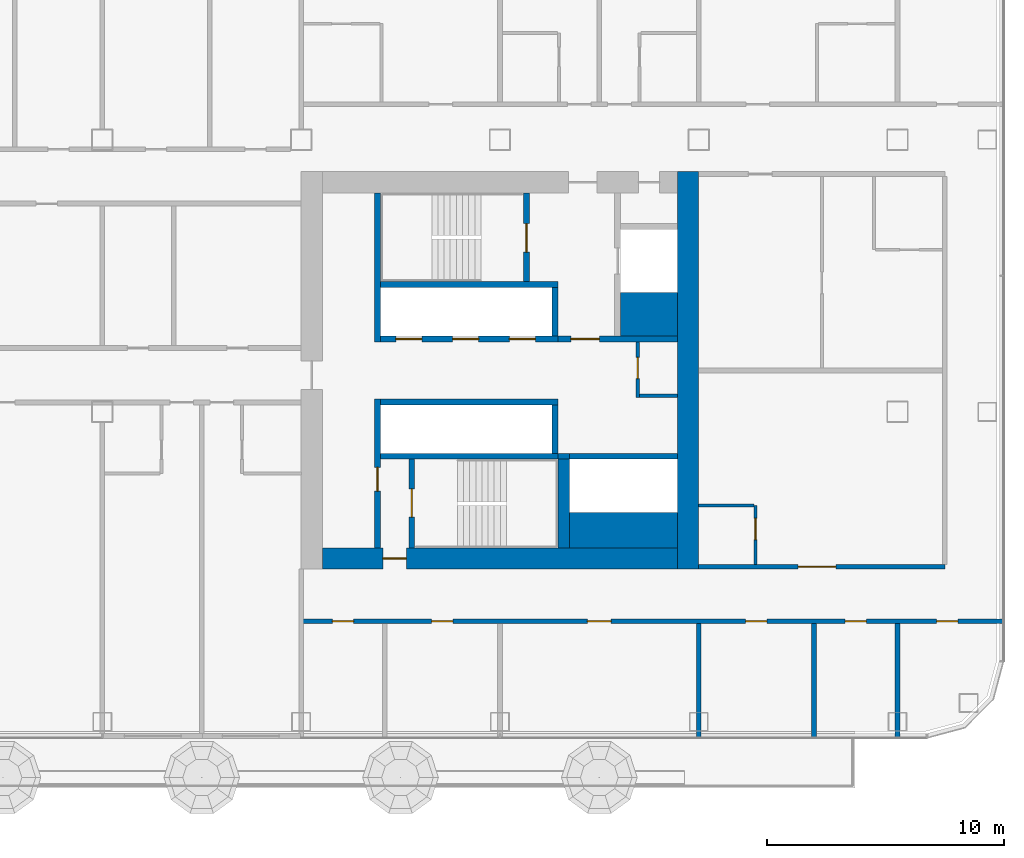
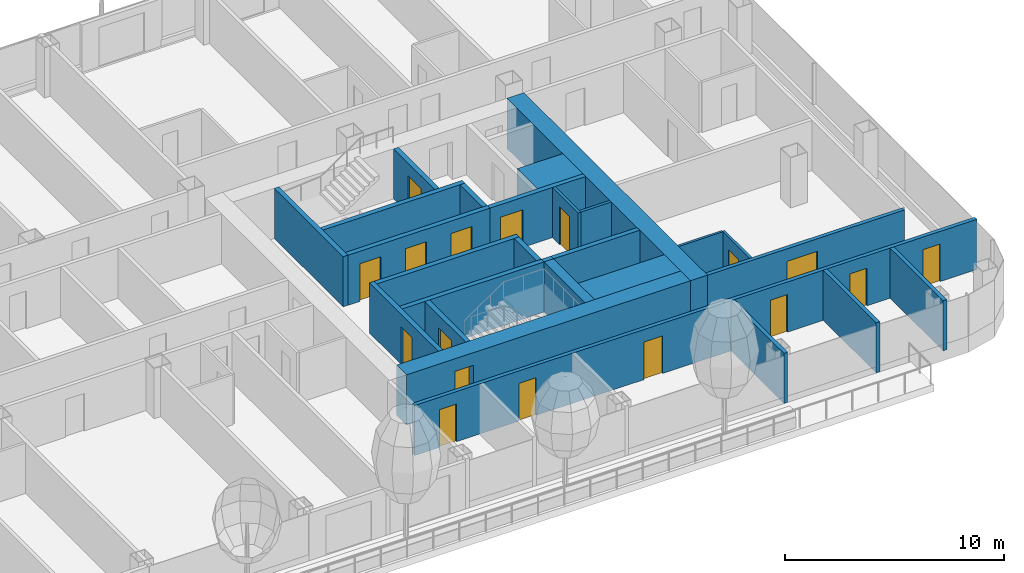
# One storey, part 16 of 33: 27 walls, 17 doors, 17 openings.
"""IFC4 building model written with IfcOpenShell, lengths in metres."""

from ifc_helpers import new_model, si_unit, direction, frame, frame_2d, origin, place, context, subcontext, project, spatial, rectangle, extrude, material, layer, layer_set, type_object, element, fill, save


model = new_model("IFC4")

# Units and contexts
model_context = context("Model", 3, precision=1e-05, world=origin(), true_north=direction((0.0, 1.0)))
body_context = subcontext(model_context, "Body", "Model", "MODEL_VIEW")
ifc_project = project(units=[si_unit("LENGTHUNIT", "METRE"), si_unit("AREAUNIT", "SQUARE_METRE"), si_unit("VOLUMEUNIT", "CUBIC_METRE"), si_unit("PLANEANGLEUNIT", "RADIAN"), si_unit("MASSUNIT", "GRAM", prefix="KILO")], contexts=[model_context])

# Site, building, storey
site_placement = place(None, origin())
site = spatial("IfcSite", under=ifc_project, at=site_placement, CompositionType="ELEMENT")
building_placement = place(site_placement, origin())
building = spatial("IfcBuilding", under=site, at=building_placement, Name="Hakoniwa Tower and Hamabe Station Hall", CompositionType="ELEMENT")
storey_placement = place(building_placement, frame((0.0, 0.0, 81.800048828125)))
storey = spatial("IfcBuildingStorey", under=building, at=storey_placement, Name="L22", CompositionType="ELEMENT", Elevation=81.800048828125)

# Wall, opening, door
ifc_material_1 = material(Name="Gypsum board partition")
ifc_layer_1 = layer(ifc_material_1, 0.14990234375)
ifc_layer_set_1 = layer_set([ifc_layer_1], Name="CORE PARTITION 150 EI 60")
wall_type_1 = type_object("IfcWallType", Name="CORE PARTITION 150 EI 60", PredefinedType="PARTITIONING", material=ifc_layer_set_1)
wall_1_placement = place(storey_placement, frame((31.02490234375, -1.14990234375, 0.0), z_axis=(0.0, 0.0, 1.0), x_axis=(0.0, 1.0, 0.0)))
wall_1 = element("IfcWall", 1, at=wall_1_placement, inside=storey, type_object=wall_type_1, Name="Core partition PW0 east", PredefinedType="PARTITIONING", context=body_context, shape_type="SweptSolid", body=[
    extrude(rectangle(XDim=2.349853515625, YDim=0.14990234375, at=frame_2d((1.1748046875, 0.0))), origin(), (0.0, 0.0, 1.0), 2.800048828125),
])
opening_1_placement = place(wall_1_placement, frame((0.800048828125, 0.0, 0.0)))
opening_1 = element("IfcOpeningElement", 2, at=opening_1_placement, cuts=wall_1, Name="Opening CD-E-RM1-9", PredefinedType="OPENING", context=body_context, shape_type="SweptSolid", body=[
    extrude(rectangle(XDim=0.89990234375, YDim=2.10009765625, at=frame_2d((0.449951171875, 1.050048828125))), frame((0.0, 0.0849609375, 0.0), z_axis=(0.0, -1.0, 0.0), x_axis=(1.0, 0.0, 0.0)), (0.0, 0.0, 1.0), 0.169921875),
])
ifc_material_2 = material(Name="Steel fire door", Category="steel")
door_type_1 = type_object("IfcDoorType", Name="CORE DOOR 900 FD30", OperationType="NOTDEFINED", PredefinedType="DOOR", material=ifc_material_2)
door_1_placement = place(opening_1_placement, origin())
door_1 = element("IfcDoor", 3, at=door_1_placement, inside=storey, type_object=door_type_1, Name="Store room door", OperationType="SINGLE_SWING_RIGHT", OverallHeight=2.10009765625, OverallWidth=0.89990234375, PredefinedType="DOOR", context=body_context, shape_type="SweptSolid", body=[
    extrude(rectangle(XDim=0.89990234375, YDim=2.10009765625, at=frame_2d((0.449951171875, 1.050048828125))), frame((0.0, 0.02490234375, 0.0), z_axis=(0.0, -1.0, 0.0), x_axis=(1.0, 0.0, 0.0)), (0.0, 0.0, 1.0), 0.050048828125),
])
fill(opening_1, door_1)

# Walls
wall_2_placement = place(storey_placement, frame((31.10009765625, -1.074951171875, 0.0), z_axis=(0.0, 0.0, 1.0), x_axis=(1.0, 0.0, 0.0)))
element("IfcWall", 4, at=wall_2_placement, inside=storey, type_object=wall_type_1, Name="Core partition PS east", PredefinedType="PARTITIONING", context=body_context, shape_type="SweptSolid", body=[
    extrude(rectangle(XDim=1.599853515625, YDim=0.14990234375, at=frame_2d((0.7998046875, 0.0))), origin(), (0.0, 0.0, 1.0), 2.800048828125),
])
ifc_material_3 = material(Name="Concrete C72", Category="concrete")
ifc_layer_2 = layer(ifc_material_3, 0.89990234375)
ifc_layer_set_2 = layer_set([ifc_layer_2], Name="CORE WALL 900 C72")
wall_type_2 = type_object("IfcWallType", Name="CORE WALL 900 C72", PredefinedType="SHEAR", material=ifc_layer_set_2)
wall_3_placement = place(storey_placement, frame((33.14990234375, -8.39990234375, 0.0), z_axis=(0.0, 0.0, 1.0), x_axis=(0.0, 1.0, 0.0)))
element("IfcWall", 5, at=wall_3_placement, inside=storey, type_object=wall_type_2, Name="Core wall OUTER east", PredefinedType="SHEAR", context=body_context, shape_type="SweptSolid", body=[
    extrude(rectangle(XDim=16.7998046875, YDim=0.89990234375, at=frame_2d((8.39990234375, 0.0))), origin(), (0.0, 0.0, 1.0), 2.800048828125),
])

# Wall, opening, door
wall_4_placement = place(storey_placement, frame((17.699951171875, -7.949951171875, 0.0), z_axis=(0.0, 0.0, 1.0), x_axis=(1.0, 0.0, 0.0)))
wall_4 = element("IfcWall", 6, at=wall_4_placement, inside=storey, type_object=wall_type_2, Name="Core wall SOUTH east", PredefinedType="SHEAR", context=body_context, shape_type="SweptSolid", body=[
    extrude(rectangle(XDim=15.0, YDim=0.89990234375, at=frame_2d((7.5, 0.0))), origin(), (0.0, 0.0, 1.0), 2.800048828125),
])
opening_2_placement = place(wall_4_placement, frame((2.550048828125, 0.0, 0.0)))
opening_2 = element("IfcOpeningElement", 7, at=opening_2_placement, cuts=wall_4, Name="Opening CD-E-FS3-10", PredefinedType="OPENING", context=body_context, shape_type="SweptSolid", body=[
    extrude(rectangle(XDim=1.0, YDim=2.10009765625, at=frame_2d((0.5, 1.050048828125))), frame((0.0, 0.4599609375, 0.0), z_axis=(0.0, -1.0, 0.0), x_axis=(1.0, 0.0, 0.0)), (0.0, 0.0, 1.0), 0.919921875),
])
ifc_material_4 = material(Name="Steel fire door", Category="steel")
door_type_2 = type_object("IfcDoorType", Name="CORE DOOR 1000 FD60", OperationType="NOTDEFINED", PredefinedType="DOOR", material=ifc_material_4)
door_2_placement = place(opening_2_placement, origin())
door_2 = element("IfcDoor", 8, at=door_2_placement, inside=storey, type_object=door_type_2, Name="Stair vestibule door", OperationType="SINGLE_SWING_LEFT", OverallHeight=2.10009765625, OverallWidth=1.0, PredefinedType="DOOR", context=body_context, shape_type="SweptSolid", body=[
    extrude(rectangle(XDim=1.0, YDim=2.10009765625, at=frame_2d((0.5, 1.050048828125))), frame((0.0, 0.02490234375, 0.0), z_axis=(0.0, -1.0, 0.0), x_axis=(1.0, 0.0, 0.0)), (0.0, 0.0, 1.0), 0.050048828125),
])
fill(opening_2, door_2)

# Walls
ifc_material_5 = material(Name="Concrete C72", Category="concrete")
ifc_layer_3 = layer(ifc_material_5, 1.5)
ifc_layer_set_3 = layer_set([ifc_layer_3], Name="CORE WEB WALL 1500 C72")
wall_type_3 = type_object("IfcWallType", Name="CORE WEB WALL 1500 C72", PredefinedType="SHEAR", material=ifc_layer_set_3)
wall_5_placement = place(storey_placement, frame((28.14990234375, -6.75, 0.0), z_axis=(0.0, 0.0, 1.0), x_axis=(1.0, 0.0, 0.0)))
element("IfcWall", 9, at=wall_5_placement, inside=storey, type_object=wall_type_3, Name="Core wall SER east", PredefinedType="SHEAR", context=body_context, shape_type="SweptSolid", body=[
    extrude(rectangle(XDim=4.550048828125, YDim=1.5, at=frame_2d((2.27490234375, 0.0))), origin(), (0.0, 0.0, 1.0), 2.800048828125),
])
ifc_material_6 = material(Name="Concrete C72", Category="concrete")
ifc_layer_4 = layer(ifc_material_6, 1.85009765625)
ifc_layer_set_4 = layer_set([ifc_layer_4], Name="CORE WEB WALL 1850 C72")
wall_type_4 = type_object("IfcWallType", Name="CORE WEB WALL 1850 C72", PredefinedType="SHEAR", material=ifc_layer_set_4)
wall_6_placement = place(storey_placement, frame((30.300048828125, 2.375, 0.0), z_axis=(0.0, 0.0, 1.0), x_axis=(1.0, 0.0, 0.0)))
element("IfcWall", 10, at=wall_6_placement, inside=storey, type_object=wall_type_4, Name="Core wall CA east", PredefinedType="SHEAR", context=body_context, shape_type="SweptSolid", body=[
    extrude(rectangle(XDim=2.39990234375, YDim=1.85009765625, at=frame_2d((1.199951171875, 0.0))), origin(), (0.0, 0.0, 1.0), 2.800048828125),
])
ifc_material_7 = material(Name="Concrete C72", Category="concrete")
ifc_layer_5 = layer(ifc_material_7, 0.25)
ifc_layer_set_5 = layer_set([ifc_layer_5], Name="CORE WEB WALL 250 C72")
wall_type_5 = type_object("IfcWallType", Name="CORE WEB WALL 250 C72", PredefinedType="SHEAR", material=ifc_layer_set_5)
wall_7_placement = place(storey_placement, frame((20.02490234375, 1.199951171875, 0.0), z_axis=(0.0, 0.0, 1.0), x_axis=(0.0, 1.0, 0.0)))
element("IfcWall", 11, at=wall_7_placement, inside=storey, type_object=wall_type_5, Name="Core wall W1N east", PredefinedType="SHEAR", context=body_context, shape_type="SweptSolid", body=[
    extrude(rectangle(XDim=6.300048828125, YDim=0.25, at=frame_2d((3.14990234375, 0.0))), origin(), (0.0, 0.0, 1.0), 2.800048828125),
])

# Wall, opening, door
wall_8_placement = place(storey_placement, frame((20.02490234375, -7.5, 0.0), z_axis=(0.0, 0.0, 1.0), x_axis=(0.0, 1.0, 0.0)))
wall_8 = element("IfcWall", 12, at=wall_8_placement, inside=storey, type_object=wall_type_5, Name="Core wall W1S east", PredefinedType="SHEAR", context=body_context, shape_type="SweptSolid", body=[
    extrude(rectangle(XDim=6.300048828125, YDim=0.25, at=frame_2d((3.14990234375, 0.0))), origin(), (0.0, 0.0, 1.0), 2.800048828125),
])
opening_3_placement = place(wall_8_placement, frame((2.39990234375, 0.0, 0.0)))
opening_3 = element("IfcOpeningElement", 13, at=opening_3_placement, cuts=wall_8, Name="Opening CD-E-VS-10", PredefinedType="OPENING", context=body_context, shape_type="SweptSolid", body=[
    extrude(rectangle(XDim=1.0, YDim=2.10009765625, at=frame_2d((0.5, 1.050048828125))), frame((0.0, 0.135009765625, 0.0), z_axis=(0.0, -1.0, 0.0), x_axis=(1.0, 0.0, 0.0)), (0.0, 0.0, 1.0), 0.27001953125),
])
door_3_placement = place(opening_3_placement, origin())
door_3 = element("IfcDoor", 14, at=door_3_placement, inside=storey, type_object=door_type_2, Name="Stair vestibule door", OperationType="SINGLE_SWING_RIGHT", OverallHeight=2.10009765625, OverallWidth=1.0, PredefinedType="DOOR", context=body_context, shape_type="SweptSolid", body=[
    extrude(rectangle(XDim=1.0, YDim=2.10009765625, at=frame_2d((0.5, 1.050048828125))), frame((0.0, 0.02490234375, 0.0), z_axis=(0.0, -1.0, 0.0), x_axis=(1.0, 0.0, 0.0)), (0.0, 0.0, 1.0), 0.050048828125),
])
fill(opening_3, door_3)

# Wall, openings, doors
wall_9_placement = place(storey_placement, frame((20.14990234375, 1.324951171875, 0.0), z_axis=(0.0, 0.0, 1.0), x_axis=(1.0, 0.0, 0.0)))
wall_9 = element("IfcWall", 15, at=wall_9_placement, inside=storey, type_object=wall_type_5, Name="Core wall NF east", PredefinedType="SHEAR", context=body_context, shape_type="SweptSolid", body=[
    extrude(rectangle(XDim=7.5, YDim=0.25, at=frame_2d((3.75, 0.0))), origin(), (0.0, 0.0, 1.0), 2.800048828125),
])
opening_4_placement = place(wall_9_placement, frame((0.64990234375, 0.0, 0.0)))
opening_4 = element("IfcOpeningElement", 16, at=opening_4_placement, cuts=wall_9, Name="Opening LD-LR4", PredefinedType="OPENING", context=body_context, shape_type="SweptSolid", body=[
    extrude(rectangle(XDim=1.10009765625, YDim=2.10009765625, at=frame_2d((0.550048828125, 1.050048828125))), frame((0.0, 0.135009765625, 0.0), z_axis=(0.0, -1.0, 0.0), x_axis=(1.0, 0.0, 0.0)), (0.0, 0.0, 1.0), 0.27001953125),
])
opening_5_placement = place(wall_9_placement, frame((3.050048828125, 0.0, 0.0)))
opening_5 = element("IfcOpeningElement", 17, at=opening_5_placement, cuts=wall_9, Name="Opening LD-LR5", PredefinedType="OPENING", context=body_context, shape_type="SweptSolid", body=[
    extrude(rectangle(XDim=1.10009765625, YDim=2.10009765625, at=frame_2d((0.550048828125, 1.050048828125))), frame((0.0, 0.135009765625, 0.0), z_axis=(0.0, -1.0, 0.0), x_axis=(1.0, 0.0, 0.0)), (0.0, 0.0, 1.0), 0.27001953125),
])
opening_6_placement = place(wall_9_placement, frame((5.449951171875, 0.0, 0.0)))
opening_6 = element("IfcOpeningElement", 18, at=opening_6_placement, cuts=wall_9, Name="Opening LD-LR6", PredefinedType="OPENING", context=body_context, shape_type="SweptSolid", body=[
    extrude(rectangle(XDim=1.10009765625, YDim=2.10009765625, at=frame_2d((0.550048828125, 1.050048828125))), frame((0.0, 0.135009765625, 0.0), z_axis=(0.0, -1.0, 0.0), x_axis=(1.0, 0.0, 0.0)), (0.0, 0.0, 1.0), 0.27001953125),
])
ifc_material_8 = material(Name="Stainless steel SUS304", Category="steel")
door_type_3 = type_object("IfcDoorType", Name="LIFT LANDING DOOR 1100 FD60", OperationType="DOUBLE_DOOR_SLIDING", PredefinedType="DOOR", material=ifc_material_8)
door_4_placement = place(opening_4_placement, origin())
door_4 = element("IfcDoor", 19, at=door_4_placement, inside=storey, type_object=door_type_3, Name="Lift landing door LR4 L22", OperationType="DOUBLE_DOOR_SLIDING", OverallHeight=2.10009765625, OverallWidth=1.10009765625, PredefinedType="DOOR", context=body_context, shape_type="SweptSolid", body=[
    extrude(rectangle(XDim=1.10009765625, YDim=2.10009765625, at=frame_2d((0.550048828125, 1.050048828125))), frame((0.0, 0.02490234375, 0.0), z_axis=(0.0, -1.0, 0.0), x_axis=(1.0, 0.0, 0.0)), (0.0, 0.0, 1.0), 0.050048828125),
])
fill(opening_4, door_4)
door_5_placement = place(opening_5_placement, origin())
door_5 = element("IfcDoor", 20, at=door_5_placement, inside=storey, type_object=door_type_3, Name="Lift landing door LR5 L22", OperationType="DOUBLE_DOOR_SLIDING", OverallHeight=2.10009765625, OverallWidth=1.10009765625, PredefinedType="DOOR", context=body_context, shape_type="SweptSolid", body=[
    extrude(rectangle(XDim=1.10009765625, YDim=2.10009765625, at=frame_2d((0.550048828125, 1.050048828125))), frame((0.0, 0.02490234375, 0.0), z_axis=(0.0, -1.0, 0.0), x_axis=(1.0, 0.0, 0.0)), (0.0, 0.0, 1.0), 0.050048828125),
])
fill(opening_5, door_5)
door_6_placement = place(opening_6_placement, origin())
door_6 = element("IfcDoor", 21, at=door_6_placement, inside=storey, type_object=door_type_3, Name="Lift landing door LR6 L22", OperationType="DOUBLE_DOOR_SLIDING", OverallHeight=2.10009765625, OverallWidth=1.10009765625, PredefinedType="DOOR", context=body_context, shape_type="SweptSolid", body=[
    extrude(rectangle(XDim=1.10009765625, YDim=2.10009765625, at=frame_2d((0.550048828125, 1.050048828125))), frame((0.0, 0.02490234375, 0.0), z_axis=(0.0, -1.0, 0.0), x_axis=(1.0, 0.0, 0.0)), (0.0, 0.0, 1.0), 0.050048828125),
])
fill(opening_6, door_6)

# Walls
wall_10_placement = place(storey_placement, frame((27.52490234375, 1.449951171875, 0.0), z_axis=(0.0, 0.0, 1.0), x_axis=(0.0, 1.0, 0.0)))
element("IfcWall", 22, at=wall_10_placement, inside=storey, type_object=wall_type_5, Name="Core wall NE east", PredefinedType="SHEAR", context=body_context, shape_type="SweptSolid", body=[
    extrude(rectangle(XDim=2.050048828125, YDim=0.25, at=frame_2d((1.02490234375, 0.0))), origin(), (0.0, 0.0, 1.0), 2.800048828125),
])
wall_11_placement = place(storey_placement, frame((20.14990234375, 3.625, 0.0), z_axis=(0.0, 0.0, 1.0), x_axis=(1.0, 0.0, 0.0)))
element("IfcWall", 23, at=wall_11_placement, inside=storey, type_object=wall_type_5, Name="Core wall NR east", PredefinedType="SHEAR", context=body_context, shape_type="SweptSolid", body=[
    extrude(rectangle(XDim=7.5, YDim=0.25, at=frame_2d((3.75, 0.0))), origin(), (0.0, 0.0, 1.0), 2.800048828125),
])

# Wall, opening, door
wall_12_placement = place(storey_placement, frame((26.324951171875, 3.75, 0.0), z_axis=(0.0, 0.0, 1.0), x_axis=(0.0, 1.0, 0.0)))
wall_12 = element("IfcWall", 24, at=wall_12_placement, inside=storey, type_object=wall_type_5, Name="Core wall NSE east", PredefinedType="SHEAR", context=body_context, shape_type="SweptSolid", body=[
    extrude(rectangle(XDim=3.75, YDim=0.25, at=frame_2d((1.875, 0.0))), origin(), (0.0, 0.0, 1.0), 2.800048828125),
])
opening_7_placement = place(wall_12_placement, frame((1.25, 0.0, 0.0)))
opening_7 = element("IfcOpeningElement", 25, at=opening_7_placement, cuts=wall_12, Name="Opening CD-E-SN-12", PredefinedType="OPENING", context=body_context, shape_type="SweptSolid", body=[
    extrude(rectangle(XDim=1.199951171875, YDim=2.10009765625, at=frame_2d((0.60009765625, 1.050048828125))), frame((0.0, 0.135009765625, 0.0), z_axis=(0.0, -1.0, 0.0), x_axis=(1.0, 0.0, 0.0)), (0.0, 0.0, 1.0), 0.27001953125),
])
ifc_material_9 = material(Name="Steel fire door", Category="steel")
door_type_4 = type_object("IfcDoorType", Name="CORE DOOR 1200 FD60", OperationType="DOUBLE_DOOR_SINGLE_SWING", PredefinedType="DOOR", material=ifc_material_9)
door_7_placement = place(opening_7_placement, origin())
door_7 = element("IfcDoor", 26, at=door_7_placement, inside=storey, type_object=door_type_4, Name="Escape stair door", OperationType="DOUBLE_DOOR_SINGLE_SWING", OverallHeight=2.10009765625, OverallWidth=1.199951171875, PredefinedType="DOOR", context=body_context, shape_type="SweptSolid", body=[
    extrude(rectangle(XDim=1.199951171875, YDim=2.10009765625, at=frame_2d((0.60009765625, 1.050048828125))), frame((0.0, 0.02490234375, 0.0), z_axis=(0.0, -1.0, 0.0), x_axis=(1.0, 0.0, 0.0)), (0.0, 0.0, 1.0), 0.050048828125),
])
fill(opening_7, door_7)

wall_13_placement = place(storey_placement, frame((27.64990234375, 1.324951171875, 0.0), z_axis=(0.0, 0.0, 1.0), x_axis=(1.0, 0.0, 0.0)))
wall_13 = element("IfcWall", 27, at=wall_13_placement, inside=storey, type_object=wall_type_5, Name="Core wall ELN east", PredefinedType="SHEAR", context=body_context, shape_type="SweptSolid", body=[
    extrude(rectangle(XDim=5.050048828125, YDim=0.25, at=frame_2d((2.52490234375, 0.0))), origin(), (0.0, 0.0, 1.0), 2.800048828125),
])
opening_8_placement = place(wall_13_placement, frame((0.550048828125, 0.0, 0.0)))
opening_8 = element("IfcOpeningElement", 28, at=opening_8_placement, cuts=wall_13, Name="Opening CD-E-FL-12", PredefinedType="OPENING", context=body_context, shape_type="SweptSolid", body=[
    extrude(rectangle(XDim=1.199951171875, YDim=2.10009765625, at=frame_2d((0.60009765625, 1.050048828125))), frame((0.0, 0.135009765625, 0.0), z_axis=(0.0, -1.0, 0.0), x_axis=(1.0, 0.0, 0.0)), (0.0, 0.0, 1.0), 0.27001953125),
])
door_8_placement = place(opening_8_placement, origin())
door_8 = element("IfcDoor", 29, at=door_8_placement, inside=storey, type_object=door_type_4, Name="Stair vestibule door to the fire-fighting lobby", OperationType="DOUBLE_DOOR_SINGLE_SWING", OverallHeight=2.10009765625, OverallWidth=1.199951171875, PredefinedType="DOOR", context=body_context, shape_type="SweptSolid", body=[
    extrude(rectangle(XDim=1.199951171875, YDim=2.10009765625, at=frame_2d((0.60009765625, 1.050048828125))), frame((0.0, 0.02490234375, 0.0), z_axis=(0.0, -1.0, 0.0), x_axis=(1.0, 0.0, 0.0)), (0.0, 0.0, 1.0), 0.050048828125),
])
fill(opening_8, door_8)

# Walls
wall_14_placement = place(storey_placement, frame((20.14990234375, -1.324951171875, 0.0), z_axis=(0.0, 0.0, 1.0), x_axis=(1.0, 0.0, 0.0)))
element("IfcWall", 30, at=wall_14_placement, inside=storey, type_object=wall_type_5, Name="Core wall SF east", PredefinedType="SHEAR", context=body_context, shape_type="SweptSolid", body=[
    extrude(rectangle(XDim=7.5, YDim=0.25, at=frame_2d((3.75, 0.0))), origin(), (0.0, 0.0, 1.0), 2.800048828125),
])
wall_15_placement = place(storey_placement, frame((27.52490234375, -3.5, 0.0), z_axis=(0.0, 0.0, 1.0), x_axis=(0.0, 1.0, 0.0)))
element("IfcWall", 31, at=wall_15_placement, inside=storey, type_object=wall_type_5, Name="Core wall SE east", PredefinedType="SHEAR", context=body_context, shape_type="SweptSolid", body=[
    extrude(rectangle(XDim=2.050048828125, YDim=0.25, at=frame_2d((1.02490234375, 0.0))), origin(), (0.0, 0.0, 1.0), 2.800048828125),
])
wall_16_placement = place(storey_placement, frame((20.14990234375, -3.625, 0.0), z_axis=(0.0, 0.0, 1.0), x_axis=(1.0, 0.0, 0.0)))
element("IfcWall", 32, at=wall_16_placement, inside=storey, type_object=wall_type_5, Name="Core wall SR east", PredefinedType="SHEAR", context=body_context, shape_type="SweptSolid", body=[
    extrude(rectangle(XDim=7.5, YDim=0.25, at=frame_2d((3.75, 0.0))), origin(), (0.0, 0.0, 1.0), 2.800048828125),
])

# Wall, opening, door
wall_17_placement = place(storey_placement, frame((21.47509765625, -7.5, 0.0), z_axis=(0.0, 0.0, 1.0), x_axis=(0.0, 1.0, 0.0)))
wall_17 = element("IfcWall", 33, at=wall_17_placement, inside=storey, type_object=wall_type_5, Name="Core wall VE east", PredefinedType="SHEAR", context=body_context, shape_type="SweptSolid", body=[
    extrude(rectangle(XDim=3.75, YDim=0.25, at=frame_2d((1.875, 0.0))), origin(), (0.0, 0.0, 1.0), 2.800048828125),
])
opening_9_placement = place(wall_17_placement, frame((1.300048828125, 0.0, 0.0)))
opening_9 = element("IfcOpeningElement", 34, at=opening_9_placement, cuts=wall_17, Name="Opening CD-E-SS-12", PredefinedType="OPENING", context=body_context, shape_type="SweptSolid", body=[
    extrude(rectangle(XDim=1.199951171875, YDim=2.10009765625, at=frame_2d((0.60009765625, 1.050048828125))), frame((0.0, 0.135009765625, 0.0), z_axis=(0.0, -1.0, 0.0), x_axis=(1.0, 0.0, 0.0)), (0.0, 0.0, 1.0), 0.27001953125),
])
door_9_placement = place(opening_9_placement, origin())
door_9 = element("IfcDoor", 35, at=door_9_placement, inside=storey, type_object=door_type_4, Name="Escape stair door", OperationType="DOUBLE_DOOR_SINGLE_SWING", OverallHeight=2.10009765625, OverallWidth=1.199951171875, PredefinedType="DOOR", context=body_context, shape_type="SweptSolid", body=[
    extrude(rectangle(XDim=1.199951171875, YDim=2.10009765625, at=frame_2d((0.60009765625, 1.050048828125))), frame((0.0, 0.02490234375, 0.0), z_axis=(0.0, -1.0, 0.0), x_axis=(1.0, 0.0, 0.0)), (0.0, 0.0, 1.0), 0.050048828125),
])
fill(opening_9, door_9)

# Walls
wall_18_placement = place(storey_placement, frame((28.14990234375, -3.625, 0.0), z_axis=(0.0, 0.0, 1.0), x_axis=(1.0, 0.0, 0.0)))
element("IfcWall", 36, at=wall_18_placement, inside=storey, type_object=wall_type_5, Name="Core wall SEF east", PredefinedType="SHEAR", context=body_context, shape_type="SweptSolid", body=[
    extrude(rectangle(XDim=4.550048828125, YDim=0.25, at=frame_2d((2.27490234375, 0.0))), origin(), (0.0, 0.0, 1.0), 2.800048828125),
])
wall_19_placement = place(storey_placement, frame((27.64990234375, -3.625, 0.0), z_axis=(0.0, 0.0, 1.0), x_axis=(1.0, 0.0, 0.0)))
element("IfcWall", 37, at=wall_19_placement, inside=storey, type_object=wall_type_5, Name="Core wall SRK east", PredefinedType="SHEAR", context=body_context, shape_type="SweptSolid", body=[
    extrude(rectangle(XDim=0.5, YDim=0.25, at=frame_2d((0.25, 0.0))), origin(), (0.0, 0.0, 1.0), 2.800048828125),
])
ifc_material_10 = material(Name="Concrete C72", Category="concrete")
ifc_layer_6 = layer(ifc_material_10, 0.5)
ifc_layer_set_6 = layer_set([ifc_layer_6], Name="CORE WEB WALL 500 C72")
wall_type_6 = type_object("IfcWallType", Name="CORE WEB WALL 500 C72", PredefinedType="SHEAR", material=ifc_layer_set_6)
wall_20_placement = place(storey_placement, frame((27.89990234375, -7.5, 0.0), z_axis=(0.0, 0.0, 1.0), x_axis=(0.0, 1.0, 0.0)))
element("IfcWall", 38, at=wall_20_placement, inside=storey, type_object=wall_type_6, Name="Core wall SSE east", PredefinedType="SHEAR", context=body_context, shape_type="SweptSolid", body=[
    extrude(rectangle(XDim=3.75, YDim=0.5, at=frame_2d((1.875, 0.0))), origin(), (0.0, 0.0, 1.0), 2.800048828125),
])

# Wall, openings, doors
ifc_material_11 = material(Name="Fire-rated gypsum board partition", Category="gypsum")
ifc_layer_7 = layer(ifc_material_11, 0.199951171875)
ifc_layer_set_7 = layer_set([ifc_layer_7], Name="Corridor Wall 200")
wall_type_7 = type_object("IfcWallType", Name="Corridor Wall 200", PredefinedType="PARTITIONING", material=ifc_layer_set_7)
wall_21_placement = place(storey_placement, frame((16.800048828125, -10.60009765625, 0.0), z_axis=(0.0, 0.0, 1.0), x_axis=(1.0, 0.0, 0.0)))
wall_21 = element("IfcWall", 39, at=wall_21_placement, inside=storey, type_object=wall_type_7, Name="GW-L22-002", PredefinedType="PARTITIONING", context=body_context, shape_type="SweptSolid", body=[
    extrude(rectangle(XDim=29.699951171875, YDim=0.199951171875, at=frame_2d((14.85009765625, 0.0))), origin(), (0.0, 0.0, 1.0), 2.800048828125),
])
opening_10_placement = place(wall_21_placement, frame((1.31494140625, 0.0, 0.0)))
opening_10 = element("IfcOpeningElement", 40, at=opening_10_placement, cuts=wall_21, Name="Opening GD-G2C0-07", PredefinedType="OPENING", context=body_context, shape_type="SweptSolid", body=[
    extrude(rectangle(XDim=0.89990234375, YDim=2.10009765625, at=frame_2d((0.449951171875, 1.050048828125))), frame((0.0, 0.10986328125, 0.0), z_axis=(0.0, -1.0, 0.0), x_axis=(1.0, 0.0, 0.0)), (0.0, 0.0, 1.0), 0.219970703125),
])
opening_11_placement = place(wall_21_placement, frame((5.514892578125, 0.0, 0.0)))
opening_11 = element("IfcOpeningElement", 41, at=opening_11_placement, cuts=wall_21, Name="Opening GD-G2C0-08", PredefinedType="OPENING", context=body_context, shape_type="SweptSolid", body=[
    extrude(rectangle(XDim=0.89990234375, YDim=2.10009765625, at=frame_2d((0.449951171875, 1.050048828125))), frame((0.0, 0.10986328125, 0.0), z_axis=(0.0, -1.0, 0.0), x_axis=(1.0, 0.0, 0.0)), (0.0, 0.0, 1.0), 0.219970703125),
])
opening_12_placement = place(wall_21_placement, frame((12.10009765625, 0.0, 0.0)))
opening_12 = element("IfcOpeningElement", 42, at=opening_12_placement, cuts=wall_21, Name="Opening GD-G2C0-09", PredefinedType="OPENING", context=body_context, shape_type="SweptSolid", body=[
    extrude(rectangle(XDim=1.0, YDim=2.10009765625, at=frame_2d((0.5, 1.050048828125))), frame((0.0, 0.10986328125, 0.0), z_axis=(0.0, -1.0, 0.0), x_axis=(1.0, 0.0, 0.0)), (0.0, 0.0, 1.0), 0.219970703125),
])
opening_13_placement = place(wall_21_placement, frame((18.784912109375, 0.0, 0.0)))
opening_13 = element("IfcOpeningElement", 43, at=opening_13_placement, cuts=wall_21, Name="Opening GD-G2C0-10", PredefinedType="OPENING", context=body_context, shape_type="SweptSolid", body=[
    extrude(rectangle(XDim=0.89990234375, YDim=2.10009765625, at=frame_2d((0.449951171875, 1.050048828125))), frame((0.0, 0.10986328125, 0.0), z_axis=(0.0, -1.0, 0.0), x_axis=(1.0, 0.0, 0.0)), (0.0, 0.0, 1.0), 0.219970703125),
])
opening_14_placement = place(wall_21_placement, frame((22.985107421875, 0.0, 0.0)))
opening_14 = element("IfcOpeningElement", 44, at=opening_14_placement, cuts=wall_21, Name="Opening GD-G2C0-11", PredefinedType="OPENING", context=body_context, shape_type="SweptSolid", body=[
    extrude(rectangle(XDim=0.89990234375, YDim=2.10009765625, at=frame_2d((0.449951171875, 1.050048828125))), frame((0.0, 0.10986328125, 0.0), z_axis=(0.0, -1.0, 0.0), x_axis=(1.0, 0.0, 0.0)), (0.0, 0.0, 1.0), 0.219970703125),
])
opening_15_placement = place(wall_21_placement, frame((26.85009765625, 0.0, 0.0)))
opening_15 = element("IfcOpeningElement", 45, at=opening_15_placement, cuts=wall_21, Name="Opening GD-G2C0-12", PredefinedType="OPENING", context=body_context, shape_type="SweptSolid", body=[
    extrude(rectangle(XDim=0.89990234375, YDim=2.10009765625, at=frame_2d((0.449951171875, 1.050048828125))), frame((0.0, 0.10986328125, 0.0), z_axis=(0.0, -1.0, 0.0), x_axis=(1.0, 0.0, 0.0)), (0.0, 0.0, 1.0), 0.219970703125),
])
ifc_material_12 = material(Name="Timber door leaf", Category="wood")
door_type_5 = type_object("IfcDoorType", Name="Guest Entrance Door 1000", OperationType="SINGLE_SWING_LEFT", PredefinedType="DOOR", material=ifc_material_12)
door_10_placement = place(opening_12_placement, origin())
door_10 = element("IfcDoor", 46, at=door_10_placement, inside=storey, type_object=door_type_5, Name="Door GD-G2C0-09", OperationType="SINGLE_SWING_RIGHT", OverallHeight=2.10009765625, OverallWidth=1.0, PredefinedType="DOOR", context=body_context, shape_type="SweptSolid", body=[
    extrude(rectangle(XDim=1.0, YDim=2.10009765625, at=frame_2d((0.5, 1.050048828125))), frame((0.0, 0.02490234375, 0.0), z_axis=(0.0, -1.0, 0.0), x_axis=(1.0, 0.0, 0.0)), (0.0, 0.0, 1.0), 0.050048828125),
])
fill(opening_12, door_10)
ifc_material_13 = material(Name="Timber door leaf", Category="wood")
door_type_6 = type_object("IfcDoorType", Name="Service Door 900", OperationType="SINGLE_SWING_LEFT", PredefinedType="DOOR", material=ifc_material_13)
door_11_placement = place(opening_10_placement, origin())
door_11 = element("IfcDoor", 47, at=door_11_placement, inside=storey, type_object=door_type_6, Name="Door GD-G2C0-07", OperationType="SINGLE_SWING_RIGHT", OverallHeight=2.10009765625, OverallWidth=0.89990234375, PredefinedType="DOOR", context=body_context, shape_type="SweptSolid", body=[
    extrude(rectangle(XDim=0.89990234375, YDim=2.10009765625, at=frame_2d((0.449951171875, 1.050048828125))), frame((0.0, 0.02490234375, 0.0), z_axis=(0.0, -1.0, 0.0), x_axis=(1.0, 0.0, 0.0)), (0.0, 0.0, 1.0), 0.050048828125),
])
fill(opening_10, door_11)
door_12_placement = place(opening_11_placement, origin())
door_12 = element("IfcDoor", 48, at=door_12_placement, inside=storey, type_object=door_type_6, Name="Door GD-G2C0-08", OperationType="SINGLE_SWING_LEFT", OverallHeight=2.10009765625, OverallWidth=0.89990234375, PredefinedType="DOOR", context=body_context, shape_type="SweptSolid", body=[
    extrude(rectangle(XDim=0.89990234375, YDim=2.10009765625, at=frame_2d((0.449951171875, 1.050048828125))), frame((0.0, 0.02490234375, 0.0), z_axis=(0.0, -1.0, 0.0), x_axis=(1.0, 0.0, 0.0)), (0.0, 0.0, 1.0), 0.050048828125),
])
fill(opening_11, door_12)
door_13_placement = place(opening_13_placement, origin())
door_13 = element("IfcDoor", 49, at=door_13_placement, inside=storey, type_object=door_type_6, Name="Door GD-G2C0-10", OperationType="SINGLE_SWING_RIGHT", OverallHeight=2.10009765625, OverallWidth=0.89990234375, PredefinedType="DOOR", context=body_context, shape_type="SweptSolid", body=[
    extrude(rectangle(XDim=0.89990234375, YDim=2.10009765625, at=frame_2d((0.449951171875, 1.050048828125))), frame((0.0, 0.02490234375, 0.0), z_axis=(0.0, -1.0, 0.0), x_axis=(1.0, 0.0, 0.0)), (0.0, 0.0, 1.0), 0.050048828125),
])
fill(opening_13, door_13)
door_14_placement = place(opening_14_placement, origin())
door_14 = element("IfcDoor", 50, at=door_14_placement, inside=storey, type_object=door_type_6, Name="Door GD-G2C0-11", OperationType="SINGLE_SWING_LEFT", OverallHeight=2.10009765625, OverallWidth=0.89990234375, PredefinedType="DOOR", context=body_context, shape_type="SweptSolid", body=[
    extrude(rectangle(XDim=0.89990234375, YDim=2.10009765625, at=frame_2d((0.449951171875, 1.050048828125))), frame((0.0, 0.02490234375, 0.0), z_axis=(0.0, -1.0, 0.0), x_axis=(1.0, 0.0, 0.0)), (0.0, 0.0, 1.0), 0.050048828125),
])
fill(opening_14, door_14)
door_15_placement = place(opening_15_placement, origin())
door_15 = element("IfcDoor", 51, at=door_15_placement, inside=storey, type_object=door_type_6, Name="Door GD-G2C0-12", OperationType="SINGLE_SWING_LEFT", OverallHeight=2.10009765625, OverallWidth=0.89990234375, PredefinedType="DOOR", context=body_context, shape_type="SweptSolid", body=[
    extrude(rectangle(XDim=0.89990234375, YDim=2.10009765625, at=frame_2d((0.449951171875, 1.050048828125))), frame((0.0, 0.02490234375, 0.0), z_axis=(0.0, -1.0, 0.0), x_axis=(1.0, 0.0, 0.0)), (0.0, 0.0, 1.0), 0.050048828125),
])
fill(opening_15, door_15)

# Wall, opening, door
wall_22_placement = place(storey_placement, frame((33.60009765625, -8.300048828125, 0.0), z_axis=(0.0, 0.0, 1.0), x_axis=(1.0, 0.0, 0.0)))
wall_22 = element("IfcWall", 52, at=wall_22_placement, inside=storey, type_object=wall_type_7, Name="GW-L22-004", PredefinedType="PARTITIONING", context=body_context, shape_type="SweptSolid", body=[
    extrude(rectangle(XDim=10.39990234375, YDim=0.199951171875, at=frame_2d((5.199951171875, 0.0))), origin(), (0.0, 0.0, 1.0), 2.800048828125),
])
opening_16_placement = place(wall_22_placement, frame((4.199951171875, 0.0, 0.0)))
opening_16 = element("IfcOpeningElement", 53, at=opening_16_placement, cuts=wall_22, Name="Opening GD-G2C0-14", PredefinedType="OPENING", context=body_context, shape_type="SweptSolid", body=[
    extrude(rectangle(XDim=1.60009765625, YDim=2.10009765625, at=frame_2d((0.800048828125, 1.050048828125))), frame((0.0, 0.10986328125, 0.0), z_axis=(0.0, -1.0, 0.0), x_axis=(1.0, 0.0, 0.0)), (0.0, 0.0, 1.0), 0.219970703125),
])
ifc_material_14 = material(Name="Timber door leaf", Category="wood")
door_type_7 = type_object("IfcDoorType", Name="Double Door 1600", OperationType="DOUBLE_DOOR_SINGLE_SWING", PredefinedType="DOOR", material=ifc_material_14)
door_16_placement = place(opening_16_placement, origin())
door_16 = element("IfcDoor", 54, at=door_16_placement, inside=storey, type_object=door_type_7, Name="Door GD-G2C0-14", OperationType="DOUBLE_DOOR_SINGLE_SWING", OverallHeight=2.10009765625, OverallWidth=1.60009765625, PredefinedType="DOOR", context=body_context, shape_type="SweptSolid", body=[
    extrude(rectangle(XDim=1.60009765625, YDim=2.10009765625, at=frame_2d((0.800048828125, 1.050048828125))), frame((0.0, 0.02490234375, 0.0), z_axis=(0.0, -1.0, 0.0), x_axis=(1.0, 0.0, 0.0)), (0.0, 0.0, 1.0), 0.050048828125),
])
fill(opening_16, door_16)

# Walls
ifc_material_15 = material(Name="Fire-rated gypsum board partition", Category="gypsum")
ifc_layer_8 = layer(ifc_material_15, 0.199951171875)
ifc_layer_set_8 = layer_set([ifc_layer_8], Name="Party Wall 200")
wall_type_8 = type_object("IfcWallType", Name="Party Wall 200", PredefinedType="PARTITIONING", material=ifc_layer_set_8)
for number, where, z_axis, x_axis, name in (
    (55, (33.60009765625, -15.550048828125, 0.0), (0.0, 0.0, 1.0), (0.0, 1.0, 0.0), "GW-L22-091"),
    (56, (38.469970703125, -15.550048828125, 0.0), (0.0, 0.0, 1.0), (0.0, 1.0, 0.0), "GW-L22-094"),
    (57, (42.0, -15.550048828125, 0.0), (0.0, 0.0, 1.0), (0.0, 1.0, 0.0), "GW-L22-098"),
):
    element("IfcWall", number, at=place(storey_placement, frame(where, z_axis=z_axis, x_axis=x_axis)), inside=storey, type_object=wall_type_8, Name=name, PredefinedType="PARTITIONING", context=body_context, shape_type="SweptSolid", body=[
        extrude(rectangle(XDim=4.85009765625, YDim=0.199951171875, at=frame_2d((2.425048828125, 0.0))), origin(), (0.0, 0.0, 1.0), 2.800048828125),
    ])
ifc_material_16 = material(Name="Gypsum board partition", Category="gypsum")
ifc_layer_9 = layer(ifc_material_16, 0.125)
ifc_layer_set_9 = layer_set([ifc_layer_9], Name="Room Partition 125")
wall_type_9 = type_object("IfcWallType", Name="Room Partition 125", PredefinedType="PARTITIONING", material=ifc_layer_set_9)
wall_23_placement = place(storey_placement, frame((33.60009765625, -5.699951171875, 0.0), z_axis=(0.0, 0.0, 1.0), x_axis=(1.0, 0.0, 0.0)))
element("IfcWall", 58, at=wall_23_placement, inside=storey, type_object=wall_type_9, Name="GW-L22-005", PredefinedType="PARTITIONING", context=body_context, shape_type="SweptSolid", body=[
    extrude(rectangle(XDim=2.33740234375, YDim=0.125, at=frame_2d((1.168701171875, 0.0))), origin(), (0.0, 0.0, 1.0), 2.800048828125),
])

# Wall, opening, door
wall_24_placement = place(storey_placement, frame((36.0, -8.199951171875, 0.0), z_axis=(0.0, 0.0, 1.0), x_axis=(0.0, 1.0, 0.0)))
wall_24 = element("IfcWall", 59, at=wall_24_placement, inside=storey, type_object=wall_type_9, Name="GW-L22-093", PredefinedType="PARTITIONING", context=body_context, shape_type="SweptSolid", body=[
    extrude(rectangle(XDim=2.5, YDim=0.125, at=frame_2d((1.25, 0.0))), origin(), (0.0, 0.0, 1.0), 2.800048828125),
])
opening_17_placement = place(wall_24_placement, frame((1.050048828125, 0.0, 0.0)))
opening_17 = element("IfcOpeningElement", 60, at=opening_17_placement, cuts=wall_24, Name="Opening GD-G2C0-69", PredefinedType="OPENING", context=body_context, shape_type="SweptSolid", body=[
    extrude(rectangle(XDim=0.89990234375, YDim=2.10009765625, at=frame_2d((0.449951171875, 1.050048828125))), frame((0.0, 0.072509765625, 0.0), z_axis=(0.0, -1.0, 0.0), x_axis=(1.0, 0.0, 0.0)), (0.0, 0.0, 1.0), 0.14501953125),
])
ifc_material_17 = material(Name="Timber door leaf", Category="wood")
door_type_8 = type_object("IfcDoorType", Name="Suite Interior Door 900", OperationType="SINGLE_SWING_LEFT", PredefinedType="DOOR", material=ifc_material_17)
door_17_placement = place(opening_17_placement, origin())
door_17 = element("IfcDoor", 61, at=door_17_placement, inside=storey, type_object=door_type_8, Name="Door GD-G2C0-69", OperationType="SINGLE_SWING_LEFT", OverallHeight=2.10009765625, OverallWidth=0.89990234375, PredefinedType="DOOR", context=body_context, shape_type="SweptSolid", body=[
    extrude(rectangle(XDim=0.89990234375, YDim=2.10009765625, at=frame_2d((0.449951171875, 1.050048828125))), frame((0.0, 0.02490234375, 0.0), z_axis=(0.0, -1.0, 0.0), x_axis=(1.0, 0.0, 0.0)), (0.0, 0.0, 1.0), 0.050048828125),
])
fill(opening_17, door_17)

save(model, "model.ifc")
